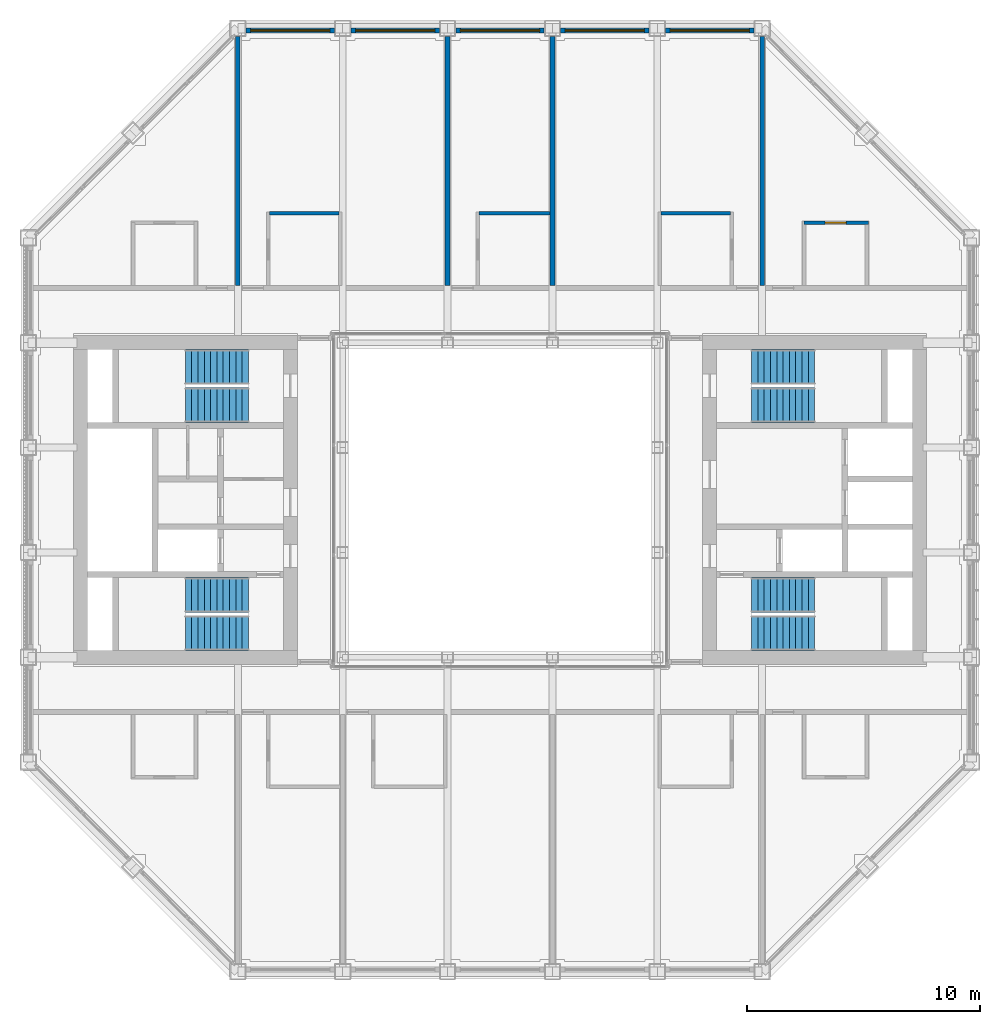
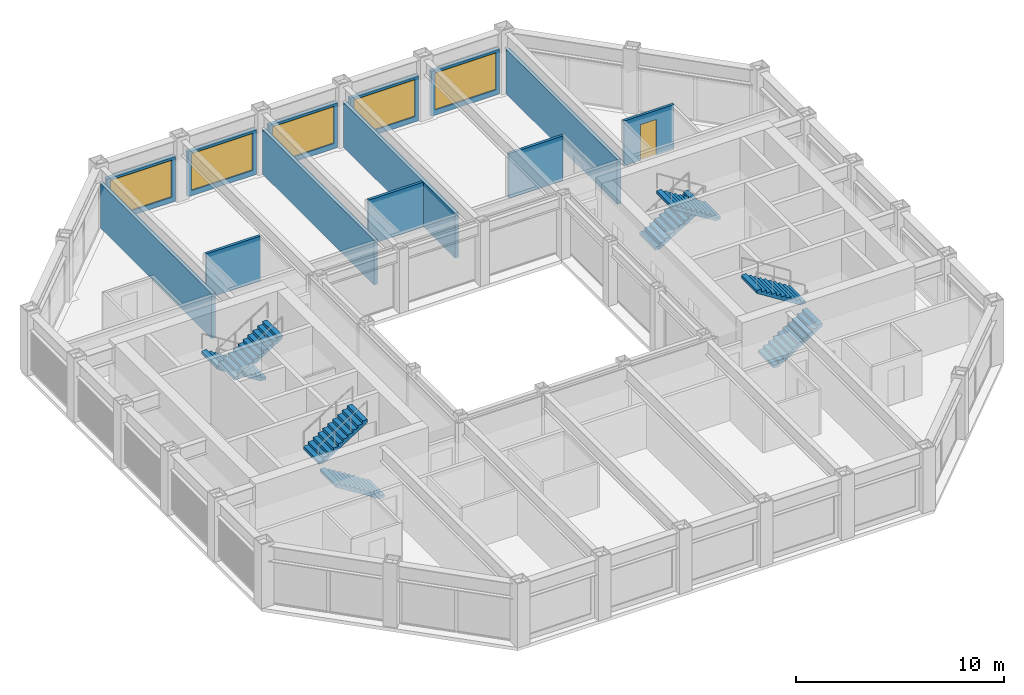
# One storey, part 12 of 16: 13 walls, 8 stair flights, 5 windows, 1 door, 6 openings, 4 elements without a shape of their own.
"""IFC4 building model written with IfcOpenShell, lengths in metres."""

from ifc_helpers import new_model, si_unit, direction, frame, frame_2d, origin, place, context, subcontext, project, spatial, polyline, rectangle, outline, extrude, material, layer, layer_set, type_object, element, fill, aggregate, save


model = new_model("IFC4")

# Units and contexts
model_context = context("Model", 3, precision=1e-05, world=origin(), true_north=direction((0.0, 1.0)))
body_context = subcontext(model_context, "Body", "Model", "MODEL_VIEW")
ifc_project = project(units=[si_unit("LENGTHUNIT", "METRE"), si_unit("AREAUNIT", "SQUARE_METRE"), si_unit("VOLUMEUNIT", "CUBIC_METRE"), si_unit("PLANEANGLEUNIT", "RADIAN"), si_unit("MASSUNIT", "GRAM", prefix="KILO")], contexts=[model_context])

# Site, building, storey
site_placement = place(None, origin())
site = spatial("IfcSite", under=ifc_project, at=site_placement, CompositionType="ELEMENT")
building_placement = place(site_placement, origin())
building = spatial("IfcBuilding", under=site, at=building_placement, Name="Msasa Ring Tower", CompositionType="ELEMENT")
storey_placement = place(building_placement, frame((0.0, 0.0, 219.550048828125)))
storey = spatial("IfcBuildingStorey", under=building, at=storey_placement, Name="L57", CompositionType="ELEMENT", Elevation=219.550048828125)

# Wall, opening, window
ifc_material_1 = material(Name="Terracotta rainscreen on blockwork", Category="masonry")
ifc_layer_1 = layer(ifc_material_1, 0.199951171875)
ifc_layer_set_1 = layer_set([ifc_layer_1], Name="FW1 TERRACOTTA-LINED INFILL BAY WALL 200")
wall_type_1 = type_object("IfcWallType", Name="FW1 TERRACOTTA-LINED INFILL BAY WALL 200", PredefinedType="SOLIDWALL", material=ifc_layer_set_1)
wall_1_placement = place(storey_placement, frame((-10.89501953125, 20.14990234375, 0.0), z_axis=(0.0, 0.0, 1.0), x_axis=(1.0, 0.0, 0.0)))
wall_1 = element("IfcWall", 1, at=wall_1_placement, inside=storey, type_object=wall_type_1, Name="Infill bay wall N L57 14", PredefinedType="SOLIDWALL", context=body_context, shape_type="SweptSolid", body=[
    extrude(rectangle(XDim=3.7900390625, YDim=0.199951171875, at=frame_2d((1.89501953125, 0.0))), origin(), (0.0, 0.0, 1.0), 2.62890625),
])
opening_1_placement = place(wall_1_placement, frame((0.195068359375, 0.0, 0.300048828125)))
opening_1 = element("IfcOpeningElement", 2, at=opening_1_placement, cuts=wall_1, Name="Opening WN3", PredefinedType="OPENING", context=body_context, shape_type="SweptSolid", body=[
    extrude(rectangle(XDim=3.39990234375, YDim=2.178955078125, at=frame_2d((1.699951171875, 1.08935546875))), frame((0.0, 0.10986328125, 0.0), z_axis=(0.0, -1.0, 0.0), x_axis=(1.0, 0.0, 0.0)), (0.0, 0.0, 1.0), 0.219970703125),
])
ifc_material_2 = material(Name="Aluminium frame with clear glass", Category="aluminium")
window_type = type_object("IfcWindowType", Name="WN3 SUITE WINDOW 3400x2179", PartitioningType="SINGLE_PANEL", PredefinedType="WINDOW", material=ifc_material_2)
window_1_placement = place(opening_1_placement, origin())
window_1 = element("IfcWindow", 3, at=window_1_placement, inside=storey, type_object=window_type, Name="Window N L57 14", OverallHeight=2.178955078125, OverallWidth=3.39990234375, PartitioningType="SINGLE_PANEL", PredefinedType="WINDOW", context=body_context, shape_type="SweptSolid", body=[
    extrude(rectangle(XDim=3.39990234375, YDim=2.178955078125, at=frame_2d((1.699951171875, 1.08935546875))), frame((0.0, 0.030029296875, 0.0), z_axis=(0.0, -1.0, 0.0), x_axis=(1.0, 0.0, 0.0)), (0.0, 0.0, 1.0), 0.06005859375),
])
fill(opening_1, window_1)

wall_2_placement = place(storey_placement, frame((-6.39501953125, 20.14990234375, 0.0), z_axis=(0.0, 0.0, 1.0), x_axis=(1.0, 0.0, 0.0)))
wall_2 = element("IfcWall", 4, at=wall_2_placement, inside=storey, type_object=wall_type_1, Name="Infill bay wall N L57 15", PredefinedType="SOLIDWALL", context=body_context, shape_type="SweptSolid", body=[
    extrude(rectangle(XDim=3.7900390625, YDim=0.199951171875, at=frame_2d((1.89501953125, 0.0))), origin(), (0.0, 0.0, 1.0), 2.62890625),
])
opening_2_placement = place(wall_2_placement, frame((0.195068359375, 0.0, 0.300048828125)))
opening_2 = element("IfcOpeningElement", 5, at=opening_2_placement, cuts=wall_2, Name="Opening WN3", PredefinedType="OPENING", context=body_context, shape_type="SweptSolid", body=[
    extrude(rectangle(XDim=3.39990234375, YDim=2.178955078125, at=frame_2d((1.699951171875, 1.08935546875))), frame((0.0, 0.10986328125, 0.0), z_axis=(0.0, -1.0, 0.0), x_axis=(1.0, 0.0, 0.0)), (0.0, 0.0, 1.0), 0.219970703125),
])
window_2_placement = place(opening_2_placement, origin())
window_2 = element("IfcWindow", 6, at=window_2_placement, inside=storey, type_object=window_type, Name="Window N L57 15", OverallHeight=2.178955078125, OverallWidth=3.39990234375, PartitioningType="SINGLE_PANEL", PredefinedType="WINDOW", context=body_context, shape_type="SweptSolid", body=[
    extrude(rectangle(XDim=3.39990234375, YDim=2.178955078125, at=frame_2d((1.699951171875, 1.08935546875))), frame((0.0, 0.030029296875, 0.0), z_axis=(0.0, -1.0, 0.0), x_axis=(1.0, 0.0, 0.0)), (0.0, 0.0, 1.0), 0.06005859375),
])
fill(opening_2, window_2)

wall_3_placement = place(storey_placement, frame((-1.89501953125, 20.14990234375, 0.0), z_axis=(0.0, 0.0, 1.0), x_axis=(1.0, 0.0, 0.0)))
wall_3 = element("IfcWall", 7, at=wall_3_placement, inside=storey, type_object=wall_type_1, Name="Infill bay wall N L57 16", PredefinedType="SOLIDWALL", context=body_context, shape_type="SweptSolid", body=[
    extrude(rectangle(XDim=3.7900390625, YDim=0.199951171875, at=frame_2d((1.89501953125, 0.0))), origin(), (0.0, 0.0, 1.0), 2.62890625),
])
opening_3_placement = place(wall_3_placement, frame((0.195068359375, 0.0, 0.300048828125)))
opening_3 = element("IfcOpeningElement", 8, at=opening_3_placement, cuts=wall_3, Name="Opening WN3", PredefinedType="OPENING", context=body_context, shape_type="SweptSolid", body=[
    extrude(rectangle(XDim=3.39990234375, YDim=2.178955078125, at=frame_2d((1.699951171875, 1.08935546875))), frame((0.0, 0.10986328125, 0.0), z_axis=(0.0, -1.0, 0.0), x_axis=(1.0, 0.0, 0.0)), (0.0, 0.0, 1.0), 0.219970703125),
])
window_3_placement = place(opening_3_placement, origin())
window_3 = element("IfcWindow", 9, at=window_3_placement, inside=storey, type_object=window_type, Name="Window N L57 16", OverallHeight=2.178955078125, OverallWidth=3.39990234375, PartitioningType="SINGLE_PANEL", PredefinedType="WINDOW", context=body_context, shape_type="SweptSolid", body=[
    extrude(rectangle(XDim=3.39990234375, YDim=2.178955078125, at=frame_2d((1.699951171875, 1.08935546875))), frame((0.0, 0.030029296875, 0.0), z_axis=(0.0, -1.0, 0.0), x_axis=(1.0, 0.0, 0.0)), (0.0, 0.0, 1.0), 0.06005859375),
])
fill(opening_3, window_3)

wall_4_placement = place(storey_placement, frame((2.60498046875, 20.14990234375, 0.0), z_axis=(0.0, 0.0, 1.0), x_axis=(1.0, 0.0, 0.0)))
wall_4 = element("IfcWall", 10, at=wall_4_placement, inside=storey, type_object=wall_type_1, Name="Infill bay wall N L57 17", PredefinedType="SOLIDWALL", context=body_context, shape_type="SweptSolid", body=[
    extrude(rectangle(XDim=3.7900390625, YDim=0.199951171875, at=frame_2d((1.89501953125, 0.0))), origin(), (0.0, 0.0, 1.0), 2.62890625),
])
opening_4_placement = place(wall_4_placement, frame((0.195068359375, 0.0, 0.300048828125)))
opening_4 = element("IfcOpeningElement", 11, at=opening_4_placement, cuts=wall_4, Name="Opening WN3", PredefinedType="OPENING", context=body_context, shape_type="SweptSolid", body=[
    extrude(rectangle(XDim=3.39990234375, YDim=2.178955078125, at=frame_2d((1.699951171875, 1.08935546875))), frame((0.0, 0.10986328125, 0.0), z_axis=(0.0, -1.0, 0.0), x_axis=(1.0, 0.0, 0.0)), (0.0, 0.0, 1.0), 0.219970703125),
])
window_4_placement = place(opening_4_placement, origin())
window_4 = element("IfcWindow", 12, at=window_4_placement, inside=storey, type_object=window_type, Name="Window N L57 17", OverallHeight=2.178955078125, OverallWidth=3.39990234375, PartitioningType="SINGLE_PANEL", PredefinedType="WINDOW", context=body_context, shape_type="SweptSolid", body=[
    extrude(rectangle(XDim=3.39990234375, YDim=2.178955078125, at=frame_2d((1.699951171875, 1.08935546875))), frame((0.0, 0.030029296875, 0.0), z_axis=(0.0, -1.0, 0.0), x_axis=(1.0, 0.0, 0.0)), (0.0, 0.0, 1.0), 0.06005859375),
])
fill(opening_4, window_4)

wall_5_placement = place(storey_placement, frame((7.10498046875, 20.14990234375, 0.0), z_axis=(0.0, 0.0, 1.0), x_axis=(1.0, 0.0, 0.0)))
wall_5 = element("IfcWall", 13, at=wall_5_placement, inside=storey, type_object=wall_type_1, Name="Infill bay wall N L57 18", PredefinedType="SOLIDWALL", context=body_context, shape_type="SweptSolid", body=[
    extrude(rectangle(XDim=3.7900390625, YDim=0.199951171875, at=frame_2d((1.89501953125, 0.0))), origin(), (0.0, 0.0, 1.0), 2.62890625),
])
opening_5_placement = place(wall_5_placement, frame((0.195068359375, 0.0, 0.300048828125)))
opening_5 = element("IfcOpeningElement", 14, at=opening_5_placement, cuts=wall_5, Name="Opening WN3", PredefinedType="OPENING", context=body_context, shape_type="SweptSolid", body=[
    extrude(rectangle(XDim=3.39990234375, YDim=2.178955078125, at=frame_2d((1.699951171875, 1.08935546875))), frame((0.0, 0.10986328125, 0.0), z_axis=(0.0, -1.0, 0.0), x_axis=(1.0, 0.0, 0.0)), (0.0, 0.0, 1.0), 0.219970703125),
])
window_5_placement = place(opening_5_placement, origin())
window_5 = element("IfcWindow", 15, at=window_5_placement, inside=storey, type_object=window_type, Name="Window N L57 18", OverallHeight=2.178955078125, OverallWidth=3.39990234375, PartitioningType="SINGLE_PANEL", PredefinedType="WINDOW", context=body_context, shape_type="SweptSolid", body=[
    extrude(rectangle(XDim=3.39990234375, YDim=2.178955078125, at=frame_2d((1.699951171875, 1.08935546875))), frame((0.0, 0.030029296875, 0.0), z_axis=(0.0, -1.0, 0.0), x_axis=(1.0, 0.0, 0.0)), (0.0, 0.0, 1.0), 0.06005859375),
])
fill(opening_5, window_5)

# Walls
ifc_material_3 = material(Name="Dense concrete blockwork, plastered both faces", Category="masonry")
ifc_layer_2 = layer(ifc_material_3, 0.25)
ifc_layer_set_2 = layer_set([ifc_layer_2], Name="PT3 APARTMENT SEPARATING WALL 250")
wall_type_2 = type_object("IfcWallType", Name="PT3 APARTMENT SEPARATING WALL 250", PredefinedType="PARTITIONING", material=ifc_layer_set_2)
for number, where, z_axis, x_axis, name in (
    (16, (-11.25, 9.199951171875, 0.0), (0.0, 0.0, 1.0), (0.0, 1.0, 0.0), "Party wall L57-PWN-11.25"),
    (17, (-2.25, 9.199951171875, 0.0), (0.0, 0.0, 1.0), (0.0, 1.0, 0.0), "Party wall L57-PWN-2.25"),
    (18, (2.25, 9.199951171875, 0.0), (0.0, 0.0, 1.0), (0.0, 1.0, 0.0), "Party wall L57-PWN+2.25"),
    (19, (11.25, 9.199951171875, 0.0), (0.0, 0.0, 1.0), (0.0, 1.0, 0.0), "Party wall L57-PWN+11.25"),
):
    element("IfcWall", number, at=place(storey_placement, frame(where, z_axis=z_axis, x_axis=x_axis)), inside=storey, type_object=wall_type_2, Name=name, PredefinedType="PARTITIONING", context=body_context, shape_type="SweptSolid", body=[
        extrude(rectangle(XDim=10.699951171875, YDim=0.199951171875, at=frame_2d((5.35009765625, 0.0))), origin(), (0.0, 0.0, 1.0), 2.62890625),
    ])
ifc_material_4 = material(Name="Moisture-resistant board on steel studs with a concealed cistern and pipe void, tiled", Category="steel")
ifc_layer_3 = layer(ifc_material_4, 0.14990234375)
ifc_layer_set_3 = layer_set([ifc_layer_3], Name="PT4 BATHROOM WET WALL 150")
wall_type_3 = type_object("IfcWallType", Name="PT4 BATHROOM WET WALL 150", PredefinedType="PARTITIONING", material=ifc_layer_set_3)
wall_6_placement = place(storey_placement, frame((-9.89990234375, 12.300048828125, 0.0), z_axis=(0.0, 0.0, 1.0), x_axis=(1.0, 0.0, 0.0)))
element("IfcWall", 20, at=wall_6_placement, inside=storey, type_object=wall_type_3, Name="Partition L57-JN00BY", PredefinedType="PARTITIONING", context=body_context, shape_type="SweptSolid", body=[
    extrude(rectangle(XDim=3.0, YDim=0.14990234375, at=frame_2d((1.5, 0.0))), origin(), (0.0, 0.0, 1.0), 2.62890625),
])
wall_7_placement = place(storey_placement, frame((-0.89990234375, 12.300048828125, 0.0), z_axis=(0.0, 0.0, 1.0), x_axis=(1.0, 0.0, 0.0)))
element("IfcWall", 21, at=wall_7_placement, inside=storey, type_object=wall_type_3, Name="Partition L57-JN01BY", PredefinedType="PARTITIONING", context=body_context, shape_type="SweptSolid", body=[
    extrude(rectangle(XDim=3.0498046875, YDim=0.14990234375, at=frame_2d((1.52490234375, 0.0))), origin(), (0.0, 0.0, 1.0), 2.62890625),
])
wall_8_placement = place(storey_placement, frame((6.89990234375, 12.300048828125, 0.0), z_axis=(0.0, 0.0, 1.0), x_axis=(1.0, 0.0, 0.0)))
element("IfcWall", 22, at=wall_8_placement, inside=storey, type_object=wall_type_3, Name="Partition L57-JN02BY", PredefinedType="PARTITIONING", context=body_context, shape_type="SweptSolid", body=[
    extrude(rectangle(XDim=3.0, YDim=0.14990234375, at=frame_2d((1.5, 0.0))), origin(), (0.0, 0.0, 1.0), 2.62890625),
])

# Wall, opening, door
wall_9_placement = place(storey_placement, frame((13.050048828125, 11.89990234375, 0.0), z_axis=(0.0, 0.0, 1.0), x_axis=(1.0, 0.0, 0.0)))
wall_9 = element("IfcWall", 23, at=wall_9_placement, inside=storey, type_object=wall_type_3, Name="Partition L57-CSNEBY", PredefinedType="PARTITIONING", context=body_context, shape_type="SweptSolid", body=[
    extrude(rectangle(XDim=2.77490234375, YDim=0.14990234375, at=frame_2d((1.387451171875, 0.0))), origin(), (0.0, 0.0, 1.0), 2.62890625),
])
opening_6_placement = place(wall_9_placement, frame((0.89990234375, 0.0, 0.0)))
opening_6 = element("IfcOpeningElement", 24, at=opening_6_placement, cuts=wall_9, Name="Opening SB-002", PredefinedType="OPENING", context=body_context, shape_type="SweptSolid", body=[
    extrude(rectangle(XDim=0.89990234375, YDim=2.10009765625, at=frame_2d((0.449951171875, 1.050048828125))), frame((0.0, 0.0849609375, 0.0), z_axis=(0.0, -1.0, 0.0), x_axis=(1.0, 0.0, 0.0)), (0.0, 0.0, 1.0), 0.169921875),
])
ifc_material_5 = material(Name="Timber door leaf in a steel frame", Category="steel")
door_type = type_object("IfcDoorType", Name="D3 BATHROOM DOOR 900x2100", OperationType="SINGLE_SWING_LEFT", PredefinedType="DOOR", material=ifc_material_5)
door_placement = place(opening_6_placement, origin())
door = element("IfcDoor", 25, at=door_placement, inside=storey, type_object=door_type, Name="Door L57-CSNEB1", OperationType="SINGLE_SWING_LEFT", OverallHeight=2.10009765625, OverallWidth=0.89990234375, PredefinedType="DOOR", context=body_context, shape_type="SweptSolid", body=[
    extrude(rectangle(XDim=0.89990234375, YDim=2.10009765625, at=frame_2d((0.449951171875, 1.050048828125))), frame((0.0, 0.02490234375, 0.0), z_axis=(0.0, -1.0, 0.0), x_axis=(1.0, 0.0, 0.0)), (0.0, 0.0, 1.0), 0.050048828125),
])
fill(opening_6, door)

# Stair, stair flights
ifc_material_6 = material(Name="Concrete C40/50", Category="concrete")
stair_type = type_object("IfcStairType", Name="STC CORE STAIR 22 RISERS 170.5", PredefinedType="HALF_TURN_STAIR", material=ifc_material_6)
stair_1_placement = place(storey_placement, origin())
stair_1 = element("IfcStair", 26, at=stair_1_placement, inside=storey, type_object=stair_type, Name="Core stair SEA L57", PredefinedType="HALF_TURN_STAIR")
ifc_material_7 = material(Name="Concrete C40/50", Category="concrete")
stair_flight_type = type_object("IfcStairFlightType", Name="ST11 CORE STAIR FLIGHT 1500 11 RISERS 170.5", PredefinedType="STRAIGHT", material=ifc_material_7)
stair_flight_1_placement = place(storey_placement, frame((10.800048828125, -5.699951171875, 0.0), z_axis=(0.0, 0.0, 1.0), x_axis=(1.0, 0.0, 0.0)))
stair_flight_1 = element("IfcStairFlight", 27, at=stair_flight_1_placement, type_object=stair_flight_type, Name="SEA flight 1", NumberOfRisers=11, NumberOfTreads=10, PredefinedType="STRAIGHT", RiserHeight=0.170454545, TreadLength=0.27, context=body_context, shape_type="SweptSolid", body=[
    extrude(outline(polyline([(0.0, 0.0), (0.0, 0.17041015625), (0.27001953125, 0.17041015625), (0.27001953125, 0.3408203125), (0.5400390625, 0.3408203125), (0.5400390625, 0.511474609375), (0.81005859375, 0.511474609375), (0.81005859375, 0.681884765625), (1.080078125, 0.681884765625), (1.080078125, 0.852294921875), (1.35009765625, 0.852294921875), (1.35009765625, 1.022705078125), (1.6201171875, 1.022705078125), (1.6201171875, 1.193115234375), (1.889892578125, 1.193115234375), (1.889892578125, 1.363525390625), (2.159912109375, 1.363525390625), (2.159912109375, 1.5341796875), (2.429931640625, 1.5341796875), (2.429931640625, 1.70458984375), (2.699951171875, 1.70458984375), (2.699951171875, 1.875), (2.699951171875, 1.52734375), (0.28076171875, 0.0), (0.0, 0.0)])), frame((0.0, 0.75, 0.0), z_axis=(0.0, -1.0, 0.0), x_axis=(1.0, 0.0, 0.0)), (0.0, 0.0, 1.0), 1.5),
])
stair_flight_2_placement = place(storey_placement, frame((13.5, -4.074951171875, 1.875), z_axis=(0.0, 0.0, 1.0), x_axis=(-1.0, 0.0, 0.0)))
stair_flight_2 = element("IfcStairFlight", 28, at=stair_flight_2_placement, type_object=stair_flight_type, Name="SEA flight 2", NumberOfRisers=11, NumberOfTreads=10, PredefinedType="STRAIGHT", RiserHeight=0.170454545, TreadLength=0.27, context=body_context, shape_type="SweptSolid", body=[
    extrude(outline(polyline([(0.0, 0.0), (0.0, 0.17041015625), (0.27001953125, 0.17041015625), (0.27001953125, 0.3408203125), (0.5400390625, 0.3408203125), (0.5400390625, 0.511474609375), (0.81005859375, 0.511474609375), (0.81005859375, 0.681884765625), (1.080078125, 0.681884765625), (1.080078125, 0.852294921875), (1.35009765625, 0.852294921875), (1.35009765625, 1.022705078125), (1.6201171875, 1.022705078125), (1.6201171875, 1.193115234375), (1.889892578125, 1.193115234375), (1.889892578125, 1.363525390625), (2.159912109375, 1.363525390625), (2.159912109375, 1.5341796875), (2.429931640625, 1.5341796875), (2.429931640625, 1.70458984375), (2.699951171875, 1.70458984375), (2.699951171875, 1.875), (2.699951171875, 1.52734375), (0.28076171875, 0.0), (0.0, 0.0)])), frame((0.0, 0.75, 0.0), z_axis=(0.0, -1.0, 0.0), x_axis=(1.0, 0.0, 0.0)), (0.0, 0.0, 1.0), 1.5),
])
aggregate(stair_1, [stair_flight_1, stair_flight_2])

stair_2_placement = place(storey_placement, origin())
stair_2 = element("IfcStair", 29, at=stair_2_placement, inside=storey, type_object=stair_type, Name="Core stair SEB L57", PredefinedType="HALF_TURN_STAIR")
stair_flight_3_placement = place(storey_placement, frame((10.800048828125, 5.699951171875, 0.0), z_axis=(0.0, 0.0, 1.0), x_axis=(1.0, 0.0, 0.0)))
stair_flight_3 = element("IfcStairFlight", 30, at=stair_flight_3_placement, type_object=stair_flight_type, Name="SEB flight 1", NumberOfRisers=11, NumberOfTreads=10, PredefinedType="STRAIGHT", RiserHeight=0.170454545, TreadLength=0.27, context=body_context, shape_type="SweptSolid", body=[
    extrude(outline(polyline([(0.0, 0.0), (0.0, 0.17041015625), (0.27001953125, 0.17041015625), (0.27001953125, 0.3408203125), (0.5400390625, 0.3408203125), (0.5400390625, 0.511474609375), (0.81005859375, 0.511474609375), (0.81005859375, 0.681884765625), (1.080078125, 0.681884765625), (1.080078125, 0.852294921875), (1.35009765625, 0.852294921875), (1.35009765625, 1.022705078125), (1.6201171875, 1.022705078125), (1.6201171875, 1.193115234375), (1.889892578125, 1.193115234375), (1.889892578125, 1.363525390625), (2.159912109375, 1.363525390625), (2.159912109375, 1.5341796875), (2.429931640625, 1.5341796875), (2.429931640625, 1.70458984375), (2.699951171875, 1.70458984375), (2.699951171875, 1.875), (2.699951171875, 1.52734375), (0.28076171875, 0.0), (0.0, 0.0)])), frame((0.0, 0.75, 0.0), z_axis=(0.0, -1.0, 0.0), x_axis=(1.0, 0.0, 0.0)), (0.0, 0.0, 1.0), 1.5),
])
stair_flight_4_placement = place(storey_placement, frame((13.5, 4.074951171875, 1.875), z_axis=(0.0, 0.0, 1.0), x_axis=(-1.0, 0.0, 0.0)))
stair_flight_4 = element("IfcStairFlight", 31, at=stair_flight_4_placement, type_object=stair_flight_type, Name="SEB flight 2", NumberOfRisers=11, NumberOfTreads=10, PredefinedType="STRAIGHT", RiserHeight=0.170454545, TreadLength=0.27, context=body_context, shape_type="SweptSolid", body=[
    extrude(outline(polyline([(0.0, 0.0), (0.0, 0.17041015625), (0.27001953125, 0.17041015625), (0.27001953125, 0.3408203125), (0.5400390625, 0.3408203125), (0.5400390625, 0.511474609375), (0.81005859375, 0.511474609375), (0.81005859375, 0.681884765625), (1.080078125, 0.681884765625), (1.080078125, 0.852294921875), (1.35009765625, 0.852294921875), (1.35009765625, 1.022705078125), (1.6201171875, 1.022705078125), (1.6201171875, 1.193115234375), (1.889892578125, 1.193115234375), (1.889892578125, 1.363525390625), (2.159912109375, 1.363525390625), (2.159912109375, 1.5341796875), (2.429931640625, 1.5341796875), (2.429931640625, 1.70458984375), (2.699951171875, 1.70458984375), (2.699951171875, 1.875), (2.699951171875, 1.52734375), (0.28076171875, 0.0), (0.0, 0.0)])), frame((0.0, 0.75, 0.0), z_axis=(0.0, -1.0, 0.0), x_axis=(1.0, 0.0, 0.0)), (0.0, 0.0, 1.0), 1.5),
])
aggregate(stair_2, [stair_flight_3, stair_flight_4])

stair_3_placement = place(storey_placement, origin())
stair_3 = element("IfcStair", 32, at=stair_3_placement, inside=storey, type_object=stair_type, Name="Core stair SWA L57", PredefinedType="HALF_TURN_STAIR")
stair_flight_5_placement = place(storey_placement, frame((-10.800048828125, -5.699951171875, 0.0), z_axis=(0.0, 0.0, 1.0), x_axis=(-1.0, 0.0, 0.0)))
stair_flight_5 = element("IfcStairFlight", 33, at=stair_flight_5_placement, type_object=stair_flight_type, Name="SWA flight 1", NumberOfRisers=11, NumberOfTreads=10, PredefinedType="STRAIGHT", RiserHeight=0.170454545, TreadLength=0.27, context=body_context, shape_type="SweptSolid", body=[
    extrude(outline(polyline([(0.0, 0.0), (0.0, 0.17041015625), (0.27001953125, 0.17041015625), (0.27001953125, 0.3408203125), (0.5400390625, 0.3408203125), (0.5400390625, 0.511474609375), (0.81005859375, 0.511474609375), (0.81005859375, 0.681884765625), (1.080078125, 0.681884765625), (1.080078125, 0.852294921875), (1.35009765625, 0.852294921875), (1.35009765625, 1.022705078125), (1.6201171875, 1.022705078125), (1.6201171875, 1.193115234375), (1.889892578125, 1.193115234375), (1.889892578125, 1.363525390625), (2.159912109375, 1.363525390625), (2.159912109375, 1.5341796875), (2.429931640625, 1.5341796875), (2.429931640625, 1.70458984375), (2.699951171875, 1.70458984375), (2.699951171875, 1.875), (2.699951171875, 1.52734375), (0.28076171875, 0.0), (0.0, 0.0)])), frame((0.0, 0.75, 0.0), z_axis=(0.0, -1.0, 0.0), x_axis=(1.0, 0.0, 0.0)), (0.0, 0.0, 1.0), 1.5),
])
stair_flight_6_placement = place(storey_placement, frame((-13.5, -4.074951171875, 1.875), z_axis=(0.0, 0.0, 1.0), x_axis=(1.0, 0.0, 0.0)))
stair_flight_6 = element("IfcStairFlight", 34, at=stair_flight_6_placement, type_object=stair_flight_type, Name="SWA flight 2", NumberOfRisers=11, NumberOfTreads=10, PredefinedType="STRAIGHT", RiserHeight=0.170454545, TreadLength=0.27, context=body_context, shape_type="SweptSolid", body=[
    extrude(outline(polyline([(0.0, 0.0), (0.0, 0.17041015625), (0.27001953125, 0.17041015625), (0.27001953125, 0.3408203125), (0.5400390625, 0.3408203125), (0.5400390625, 0.511474609375), (0.81005859375, 0.511474609375), (0.81005859375, 0.681884765625), (1.080078125, 0.681884765625), (1.080078125, 0.852294921875), (1.35009765625, 0.852294921875), (1.35009765625, 1.022705078125), (1.6201171875, 1.022705078125), (1.6201171875, 1.193115234375), (1.889892578125, 1.193115234375), (1.889892578125, 1.363525390625), (2.159912109375, 1.363525390625), (2.159912109375, 1.5341796875), (2.429931640625, 1.5341796875), (2.429931640625, 1.70458984375), (2.699951171875, 1.70458984375), (2.699951171875, 1.875), (2.699951171875, 1.52734375), (0.28076171875, 0.0), (0.0, 0.0)])), frame((0.0, 0.75, 0.0), z_axis=(0.0, -1.0, 0.0), x_axis=(1.0, 0.0, 0.0)), (0.0, 0.0, 1.0), 1.5),
])
aggregate(stair_3, [stair_flight_5, stair_flight_6])

stair_4_placement = place(storey_placement, origin())
stair_4 = element("IfcStair", 35, at=stair_4_placement, inside=storey, type_object=stair_type, Name="Core stair SWB L57", PredefinedType="HALF_TURN_STAIR")
stair_flight_7_placement = place(storey_placement, frame((-10.800048828125, 5.699951171875, 0.0), z_axis=(0.0, 0.0, 1.0), x_axis=(-1.0, 0.0, 0.0)))
stair_flight_7 = element("IfcStairFlight", 36, at=stair_flight_7_placement, type_object=stair_flight_type, Name="SWB flight 1", NumberOfRisers=11, NumberOfTreads=10, PredefinedType="STRAIGHT", RiserHeight=0.170454545, TreadLength=0.27, context=body_context, shape_type="SweptSolid", body=[
    extrude(outline(polyline([(0.0, 0.0), (0.0, 0.17041015625), (0.27001953125, 0.17041015625), (0.27001953125, 0.3408203125), (0.5400390625, 0.3408203125), (0.5400390625, 0.511474609375), (0.81005859375, 0.511474609375), (0.81005859375, 0.681884765625), (1.080078125, 0.681884765625), (1.080078125, 0.852294921875), (1.35009765625, 0.852294921875), (1.35009765625, 1.022705078125), (1.6201171875, 1.022705078125), (1.6201171875, 1.193115234375), (1.889892578125, 1.193115234375), (1.889892578125, 1.363525390625), (2.159912109375, 1.363525390625), (2.159912109375, 1.5341796875), (2.429931640625, 1.5341796875), (2.429931640625, 1.70458984375), (2.699951171875, 1.70458984375), (2.699951171875, 1.875), (2.699951171875, 1.52734375), (0.28076171875, 0.0), (0.0, 0.0)])), frame((0.0, 0.75, 0.0), z_axis=(0.0, -1.0, 0.0), x_axis=(1.0, 0.0, 0.0)), (0.0, 0.0, 1.0), 1.5),
])
stair_flight_8_placement = place(storey_placement, frame((-13.5, 4.074951171875, 1.875), z_axis=(0.0, 0.0, 1.0), x_axis=(1.0, 0.0, 0.0)))
stair_flight_8 = element("IfcStairFlight", 37, at=stair_flight_8_placement, type_object=stair_flight_type, Name="SWB flight 2", NumberOfRisers=11, NumberOfTreads=10, PredefinedType="STRAIGHT", RiserHeight=0.170454545, TreadLength=0.27, context=body_context, shape_type="SweptSolid", body=[
    extrude(outline(polyline([(0.0, 0.0), (0.0, 0.17041015625), (0.27001953125, 0.17041015625), (0.27001953125, 0.3408203125), (0.5400390625, 0.3408203125), (0.5400390625, 0.511474609375), (0.81005859375, 0.511474609375), (0.81005859375, 0.681884765625), (1.080078125, 0.681884765625), (1.080078125, 0.852294921875), (1.35009765625, 0.852294921875), (1.35009765625, 1.022705078125), (1.6201171875, 1.022705078125), (1.6201171875, 1.193115234375), (1.889892578125, 1.193115234375), (1.889892578125, 1.363525390625), (2.159912109375, 1.363525390625), (2.159912109375, 1.5341796875), (2.429931640625, 1.5341796875), (2.429931640625, 1.70458984375), (2.699951171875, 1.70458984375), (2.699951171875, 1.875), (2.699951171875, 1.52734375), (0.28076171875, 0.0), (0.0, 0.0)])), frame((0.0, 0.75, 0.0), z_axis=(0.0, -1.0, 0.0), x_axis=(1.0, 0.0, 0.0)), (0.0, 0.0, 1.0), 1.5),
])
aggregate(stair_4, [stair_flight_7, stair_flight_8])

save(model, "model.ifc")
